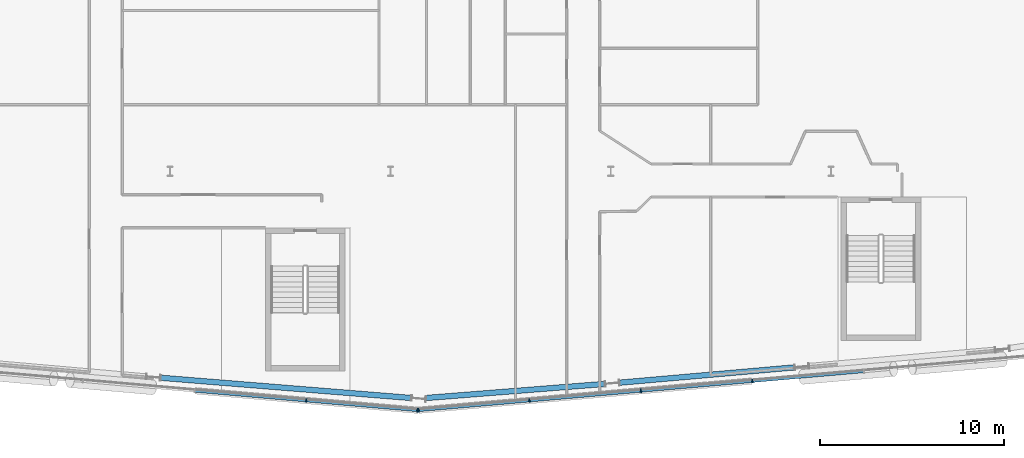
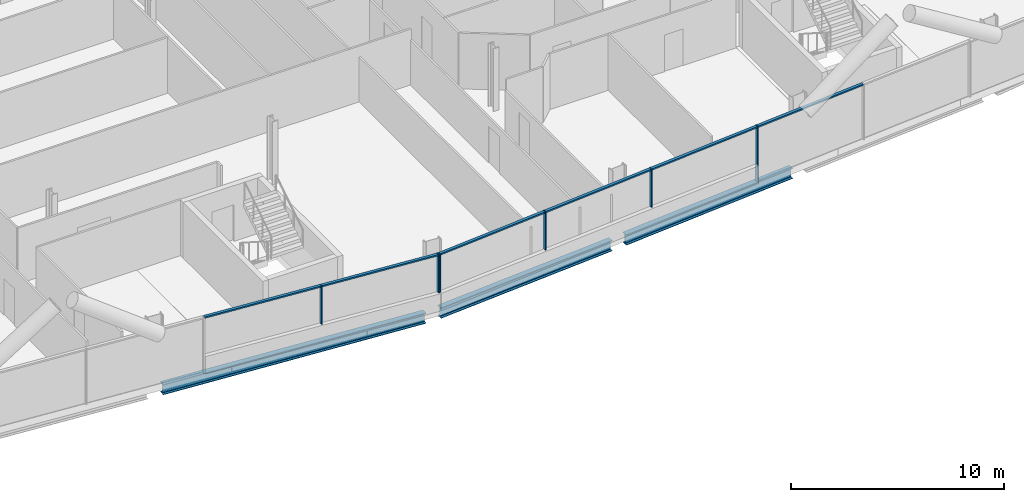
# One storey, part 7 of 26: 12 members, 3 beams, 2 elements without a shape of their own.
"""IFC4 building model written with IfcOpenShell, lengths in metres."""

from ifc_helpers import new_model, si_unit, direction, frame, origin, origin_2d, place, context, subcontext, project, spatial, rectangle, i_section, extrude, material, material_profile, profile_set, type_object, element, aggregate, save


model = new_model("IFC4")

# Units and contexts
model_context = context("Model", 3, precision=1e-05, world=origin(), true_north=direction((0.0, 1.0)))
body_context = subcontext(model_context, "Body", "Model", "MODEL_VIEW")
ifc_project = project(units=[si_unit("LENGTHUNIT", "METRE"), si_unit("AREAUNIT", "SQUARE_METRE"), si_unit("VOLUMEUNIT", "CUBIC_METRE"), si_unit("PLANEANGLEUNIT", "RADIAN"), si_unit("MASSUNIT", "GRAM", prefix="KILO")], contexts=[model_context])

# Site, building, storey
site_placement = place(None, origin())
site = spatial("IfcSite", under=ifc_project, at=site_placement, CompositionType="ELEMENT")
building_placement = place(site_placement, origin())
building = spatial("IfcBuilding", under=site, at=building_placement, Name="Wharfspan Tower", CompositionType="ELEMENT")
storey_placement = place(building_placement, frame((0.0, 0.0, 114.699951)))
storey = spatial("IfcBuildingStorey", under=building, at=storey_placement, Name="L26", CompositionType="ELEMENT", Elevation=114.699951)

# Beams
ifc_material_1 = material(Name="Steel S355J2", Category="steel")
ifc_material_profile_1 = material_profile(ifc_material_1, i_section(OverallWidth=0.300049, OverallDepth=0.600098, WebThickness=0.015381, FlangeThickness=0.030029, FilletRadius=0.0271, at=origin_2d()))
ifc_profile_set_1 = profile_set([ifc_material_profile_1], Name="Steel S355J2")
beam_type = type_object("IfcBeamType", Name="Edge beam HEB 600", PredefinedType="SPANDREL", material=ifc_profile_set_1)
beam_1_placement = place(storey_placement, frame((35.490967, 0.252197, -0.699951), z_axis=(0.996756, -0.080488, 0.0), x_axis=(0.080488, 0.996756, 0.0)))
element("IfcBeam", 1, at=beam_1_placement, inside=storey, type_object=beam_type, Name="Edge beam S1 L26 PS1.3 to PS1.4", PredefinedType="SPANDREL", context=body_context, shape_type="SweptSolid", body=[
    extrude(i_section(OverallWidth=0.300049, OverallDepth=0.600098, WebThickness=0.015381, FlangeThickness=0.030029, FilletRadius=0.0271, at=origin_2d()), origin(), (0.0, 0.0, 1.0), 13.683105),
])
beam_2_placement = place(storey_placement, frame((49.938721, -0.849365, -0.699951), z_axis=(0.996913, 0.078508, 0.0), x_axis=(-0.078508, 0.996913, 0.0)))
element("IfcBeam", 2, at=beam_2_placement, inside=storey, type_object=beam_type, Name="Edge beam S2 L26 PS1.4 to PS2.1", PredefinedType="SPANDREL", context=body_context, shape_type="SweptSolid", body=[
    extrude(i_section(OverallWidth=0.300049, OverallDepth=0.600098, WebThickness=0.015381, FlangeThickness=0.030029, FilletRadius=0.0271, at=origin_2d()), origin(), (0.0, 0.0, 1.0), 9.767578),
])
beam_3_placement = place(storey_placement, frame((60.479492, -0.015625, -0.699951), z_axis=(0.996194, 0.087164, 0.0), x_axis=(-0.087164, 0.996194, 0.0)))
element("IfcBeam", 3, at=beam_3_placement, inside=storey, type_object=beam_type, Name="Edge beam S2 L26 PS2.1 to PS2.2", PredefinedType="SPANDREL", context=body_context, shape_type="SweptSolid", body=[
    extrude(i_section(OverallWidth=0.300049, OverallDepth=0.600098, WebThickness=0.015381, FlangeThickness=0.030029, FilletRadius=0.0271, at=origin_2d()), origin(), (0.0, 0.0, 1.0), 9.55957),
])

# Curtain wall, members
ifc_material_2 = material(Name="Aluminium 6063-T6", Category="aluminium")
curtain_wall_type = type_object("IfcCurtainWallType", Name="CURTAIN WALL FACETED FRONT", PredefinedType="NOTDEFINED", material=ifc_material_2)
curtain_wall_1_placement = place(storey_placement, origin())
curtain_wall_1 = element("IfcCurtainWall", 4, at=curtain_wall_1_placement, inside=storey, type_object=curtain_wall_type, Name="Curtain wall S1", PredefinedType="NOTDEFINED")
ifc_material_profile_2 = material_profile(ifc_material_2, rectangle(XDim=0.199951, YDim=0.060059, at=origin_2d()))
ifc_profile_set_2 = profile_set([ifc_material_profile_2], Name="Aluminium 6063-T6")
member_type_1 = type_object("IfcMemberType", Name="MULLION FACETED FRONT 60x200", PredefinedType="MULLION", material=ifc_profile_set_2)
member_1_placement = place(storey_placement, frame((43.416748, -0.986084, 1.0), z_axis=(0.0, 0.0, 1.0), x_axis=(0.087156, 0.996198, 0.0)))
member_1 = element("IfcMember", 5, at=member_1_placement, type_object=member_type_1, Name="Curtain wall S1 mullion 6", PredefinedType="MULLION", context=body_context, shape_type="SweptSolid", body=[
    extrude(rectangle(XDim=0.199951, YDim=0.060059, at=origin_2d()), origin(), (0.0, 0.0, 1.0), 2.199951),
])
member_2_placement = place(storey_placement, frame((49.470215, -1.515625, 1.0), z_axis=(0.0, 0.0, 1.0), x_axis=(0.087156, 0.996198, 0.0)))
member_2 = element("IfcMember", 6, at=member_2_placement, type_object=member_type_1, Name="Curtain wall S1 mullion 7", PredefinedType="MULLION", context=body_context, shape_type="SweptSolid", body=[
    extrude(rectangle(XDim=0.199951, YDim=0.060059, at=origin_2d()), origin(), (0.0, 0.0, 1.0), 2.199951),
])

curtain_wall_2_placement = place(storey_placement, origin())
curtain_wall_2 = element("IfcCurtainWall", 7, at=curtain_wall_2_placement, inside=storey, type_object=curtain_wall_type, Name="Curtain wall S2", PredefinedType="NOTDEFINED")
member_3_placement = place(storey_placement, frame((49.529785, -1.515625, 1.0), z_axis=(0.0, 0.0, 1.0), x_axis=(-0.087156, 0.996198, 0.0)))
member_3 = element("IfcMember", 8, at=member_3_placement, type_object=member_type_1, Name="Curtain wall S2 mullion 1", PredefinedType="MULLION", context=body_context, shape_type="SweptSolid", body=[
    extrude(rectangle(XDim=0.199951, YDim=0.060059, at=origin_2d()), origin(), (0.0, 0.0, 1.0), 2.199951),
])
member_4_placement = place(storey_placement, frame((55.571533, -0.987061, 1.0), z_axis=(0.0, 0.0, 1.0), x_axis=(-0.087156, 0.996198, 0.0)))
member_4 = element("IfcMember", 9, at=member_4_placement, type_object=member_type_1, Name="Curtain wall S2 mullion 2", PredefinedType="MULLION", context=body_context, shape_type="SweptSolid", body=[
    extrude(rectangle(XDim=0.199951, YDim=0.060059, at=origin_2d()), origin(), (0.0, 0.0, 1.0), 2.199951),
])
member_5_placement = place(storey_placement, frame((61.642822, -0.455811, 1.0), z_axis=(0.0, 0.0, 1.0), x_axis=(-0.087156, 0.996198, 0.0)))
member_5 = element("IfcMember", 10, at=member_5_placement, type_object=member_type_1, Name="Curtain wall S2 mullion 3", PredefinedType="MULLION", context=body_context, shape_type="SweptSolid", body=[
    extrude(rectangle(XDim=0.199951, YDim=0.060059, at=origin_2d()), origin(), (0.0, 0.0, 1.0), 2.199951),
])
member_6_placement = place(storey_placement, frame((67.714355, 0.075195, 0.0), z_axis=(0.0, 0.0, 1.0), x_axis=(-0.087156, 0.996198, 0.0)))
member_6 = element("IfcMember", 11, at=member_6_placement, type_object=member_type_1, Name="Curtain wall S2 mullion 4", PredefinedType="MULLION", context=body_context, shape_type="SweptSolid", body=[
    extrude(rectangle(XDim=0.199951, YDim=0.060059, at=origin_2d()), origin(), (0.0, 0.0, 1.0), 3.199951),
])

# Member
ifc_material_profile_3 = material_profile(ifc_material_2, rectangle(XDim=0.159912, YDim=0.080078, at=origin_2d()))
ifc_profile_set_3 = profile_set([ifc_material_profile_3], Name="Aluminium 6063-T6")
member_type_2 = type_object("IfcMemberType", Name="TRANSOM FACETED FRONT 80x160", PredefinedType="USERDEFINED", material=ifc_profile_set_3)
member_7_placement = place(storey_placement, frame((37.363281, -0.456543, 3.160156), z_axis=(0.996197, -0.087135, 0.0), x_axis=(0.087135, 0.996197, 0.0)))
member_7 = element("IfcMember", 12, at=member_7_placement, type_object=member_type_2, Name="Curtain wall S1 transom 5", ObjectType="TRANSOM", PredefinedType="USERDEFINED", context=body_context, shape_type="SweptSolid", body=[
    extrude(rectangle(XDim=0.159912, YDim=0.080078, at=origin_2d()), origin(), (0.0, 0.0, 1.0), 6.046387),
])

member_8_placement = place(storey_placement, frame((43.446533, -0.98877, 3.160156), z_axis=(0.996198, -0.087122, 0.0), x_axis=(0.087122, 0.996198, 0.0)))
member_8 = element("IfcMember", 13, at=member_8_placement, type_object=member_type_2, Name="Curtain wall S1 transom 6", ObjectType="TRANSOM", PredefinedType="USERDEFINED", context=body_context, shape_type="SweptSolid", body=[
    extrude(rectangle(XDim=0.159912, YDim=0.080078, at=origin_2d()), origin(), (0.0, 0.0, 1.0), 6.016602),
])

aggregate(curtain_wall_1, [member_1, member_2, member_7, member_8])

member_9_placement = place(storey_placement, frame((49.559814, -1.512939, 3.160156), z_axis=(0.996197, 0.087133, 0.0), x_axis=(-0.087133, 0.996197, 0.0)))
member_9 = element("IfcMember", 14, at=member_9_placement, type_object=member_type_2, Name="Curtain wall S2 transom 1", ObjectType="TRANSOM", PredefinedType="USERDEFINED", context=body_context, shape_type="SweptSolid", body=[
    extrude(rectangle(XDim=0.159912, YDim=0.080078, at=origin_2d()), origin(), (0.0, 0.0, 1.0), 6.004639),
])

member_10_placement = place(storey_placement, frame((55.601318, -0.984375, 3.160156), z_axis=(0.996196, 0.087143, 0.0), x_axis=(-0.087143, 0.996196, 0.0)))
member_10 = element("IfcMember", 15, at=member_10_placement, type_object=member_type_2, Name="Curtain wall S2 transom 2", ObjectType="TRANSOM", PredefinedType="USERDEFINED", context=body_context, shape_type="SweptSolid", body=[
    extrude(rectangle(XDim=0.159912, YDim=0.080078, at=origin_2d()), origin(), (0.0, 0.0, 1.0), 6.034668),
])

member_11_placement = place(storey_placement, frame((61.672852, -0.453369, 3.160156), z_axis=(0.996192, 0.087187, 0.0), x_axis=(-0.087187, 0.996192, 0.0)))
member_11 = element("IfcMember", 16, at=member_11_placement, type_object=member_type_2, Name="Curtain wall S2 transom 3", ObjectType="TRANSOM", PredefinedType="USERDEFINED", context=body_context, shape_type="SweptSolid", body=[
    extrude(rectangle(XDim=0.159912, YDim=0.080078, at=origin_2d()), origin(), (0.0, 0.0, 1.0), 6.034424),
])

member_12_placement = place(storey_placement, frame((67.744141, 0.077881, 3.160156), z_axis=(0.996196, 0.087143, 0.0), x_axis=(-0.087143, 0.996196, 0.0)))
member_12 = element("IfcMember", 17, at=member_12_placement, type_object=member_type_2, Name="Curtain wall S2 transom 4", ObjectType="TRANSOM", PredefinedType="USERDEFINED", context=body_context, shape_type="SweptSolid", body=[
    extrude(rectangle(XDim=0.159912, YDim=0.080078, at=origin_2d()), origin(), (0.0, 0.0, 1.0), 6.034668),
])

aggregate(curtain_wall_2, [member_3, member_4, member_5, member_6, member_9, member_10, member_11, member_12])

save(model, "model.ifc")
